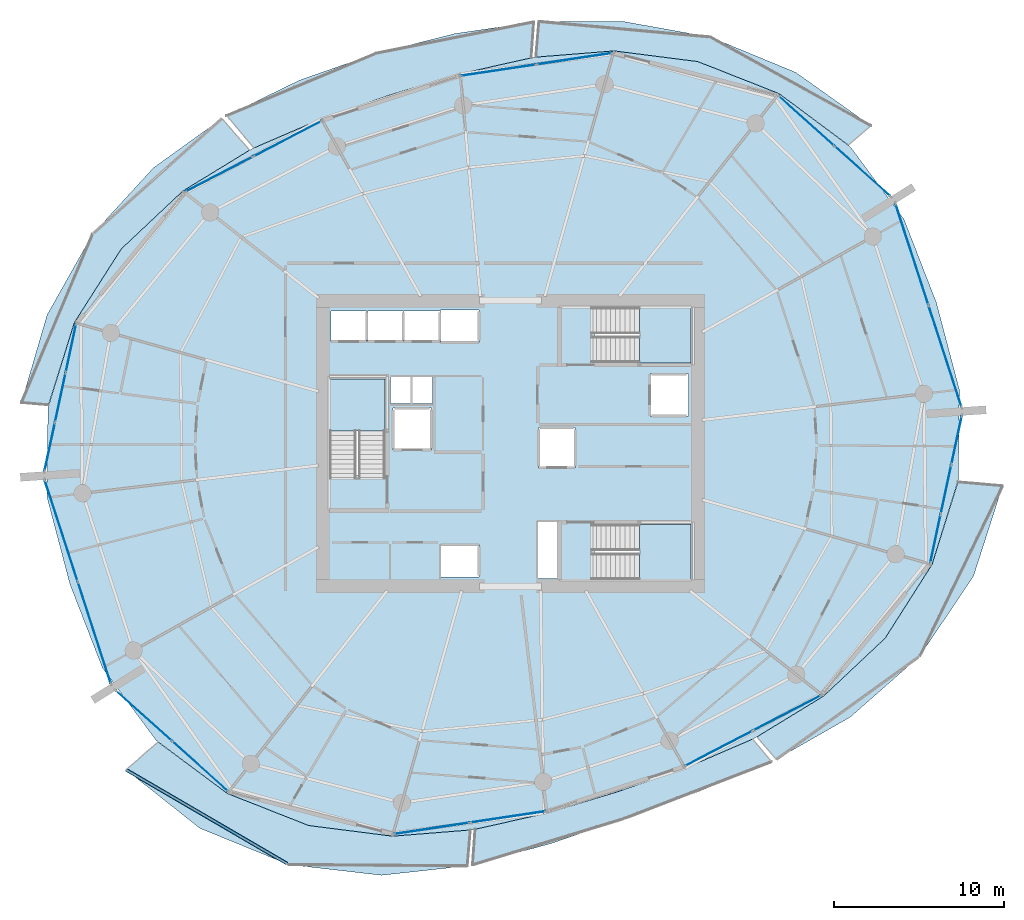
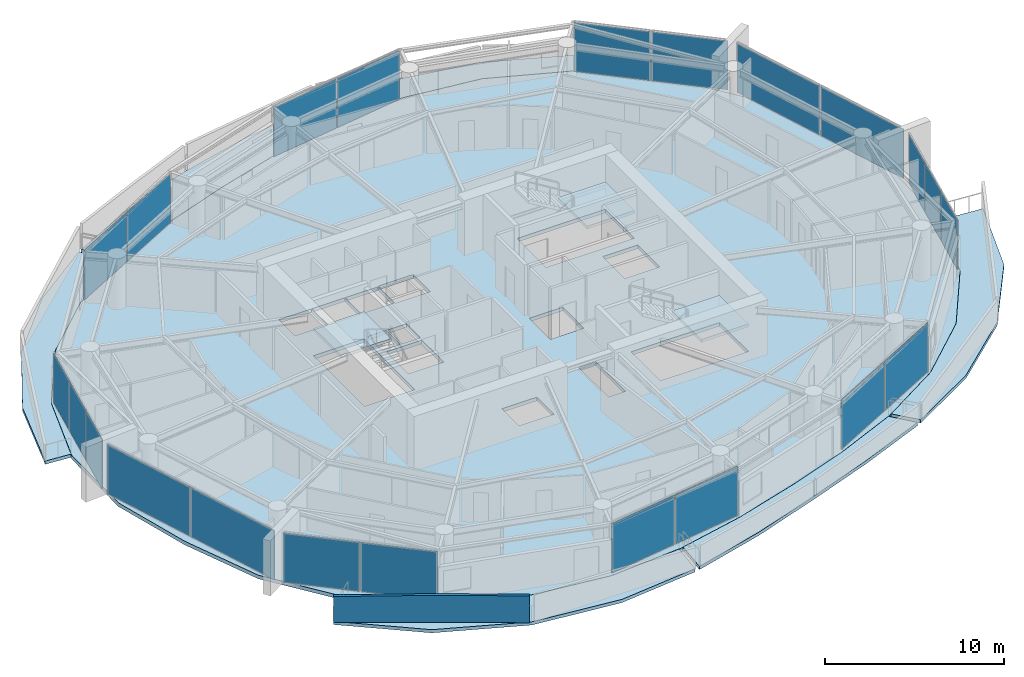
# One storey, part 10 of 20: 22 plates, 10 slabs, 1 wall, 13 elements without a shape of their own.
"""IFC4 building model written with IfcOpenShell, lengths in metres."""

from ifc_helpers import new_model, si_unit, direction, frame, origin, origin_2d, place, context, subcontext, project, spatial, polyline, rectangle, outline, extrude, material, layer, layer_set, type_object, element, aggregate, save


model = new_model("IFC4")

# Units and contexts
model_context = context("Model", 3, precision=1e-05, world=origin(), true_north=direction((0.0, 1.0)))
body_context = subcontext(model_context, "Body", "Model", "MODEL_VIEW")
ifc_project = project(units=[si_unit("LENGTHUNIT", "METRE"), si_unit("AREAUNIT", "SQUARE_METRE"), si_unit("VOLUMEUNIT", "CUBIC_METRE"), si_unit("PLANEANGLEUNIT", "RADIAN"), si_unit("MASSUNIT", "GRAM", prefix="KILO")], contexts=[model_context])

# Site, building, storey
site_placement = place(None, origin())
site = spatial("IfcSite", under=ifc_project, at=site_placement, CompositionType="ELEMENT")
building_placement = place(site_placement, origin())
building = spatial("IfcBuilding", under=site, at=building_placement, Name="Kazma Halo Residences", CompositionType="ELEMENT")
storey_placement = place(building_placement, frame((0.0, 0.0, 150.300048828125)))
storey = spatial("IfcBuildingStorey", under=building, at=storey_placement, Name="L37", CompositionType="ELEMENT", Elevation=150.300048828125)

# Curtain wall, plates
ifc_material_1 = material(Name="Aluminium AW-6063 T6 and Triple-Silver Low-E Glass", Category="aluminium")
ifc_layer_1 = layer(ifc_material_1, 0.219970703125)
ifc_layer_set_1 = layer_set([ifc_layer_1], Name="Aluminium AW-6063 T6 and Triple-Silver Low-E Glass")
curtain_wall_type = type_object("IfcCurtainWallType", Name="CW-SYS-4", PredefinedType="NOTDEFINED", material=ifc_layer_set_1)
curtain_wall_1_placement = place(storey_placement, origin())
curtain_wall_1 = element("IfcCurtainWall", 1, at=curtain_wall_1_placement, inside=storey, type_object=curtain_wall_type, Name="L37 unitised curtain wall B01", PredefinedType="NOTDEFINED")
ifc_material_2 = material(Name="Clear Triple-Silver Low-E Glass IGU", Category="glass")
ifc_layer_2 = layer(ifc_material_2, 0.033935546875)
ifc_layer_set_2 = layer_set([ifc_layer_2], Name="Clear Triple-Silver Low-E Glass IGU")
plate_type = type_object("IfcPlateType", Name="CW-SYS-4-PNL", PredefinedType="CURTAIN_PANEL", material=ifc_layer_set_2)
plate_1_placement = place(storey_placement, frame((69.126708984375, 58.008056640625, 0.074951171875), z_axis=(0.0, 0.0, 1.0), x_axis=(-0.744367582957, 0.667770096247, 0.0)))
plate_1 = element("IfcPlate", 2, at=plate_1_placement, type_object=plate_type, Name="CWS-4 panel 1.1", PredefinedType="CURTAIN_PANEL", context=body_context, shape_type="SweptSolid", body=[
    extrude(rectangle(XDim=4.36279296875, YDim=0.033935546875, at=origin_2d()), origin(), (0.0, 0.0, 1.0), 3.35009765625),
])
plate_2_placement = place(storey_placement, frame((65.823486328125, 60.971435546875, 0.074951171875), z_axis=(0.0, 0.0, 1.0), x_axis=(-0.744367582957, 0.667770096247, 0.0)))
plate_2 = element("IfcPlate", 3, at=plate_2_placement, type_object=plate_type, Name="CWS-4 panel 2.1", PredefinedType="CURTAIN_PANEL", context=body_context, shape_type="SweptSolid", body=[
    extrude(rectangle(XDim=4.36279296875, YDim=0.033935546875, at=origin_2d()), origin(), (0.0, 0.0, 1.0), 3.35009765625),
])
aggregate(curtain_wall_1, [plate_1, plate_2])

curtain_wall_2_placement = place(storey_placement, origin())
curtain_wall_2 = element("IfcCurtainWall", 4, at=curtain_wall_2_placement, inside=storey, type_object=curtain_wall_type, Name="L37 unitised curtain wall B03", PredefinedType="NOTDEFINED")
plate_3_placement = place(storey_placement, frame((52.200439453125, 64.625732421875, 0.074951171875), z_axis=(0.0, 0.0, 1.0), x_axis=(-0.988864148004, -0.148821022686, 0.0)))
plate_3 = element("IfcPlate", 5, at=plate_3_placement, type_object=plate_type, Name="CWS-4 panel 1.1", PredefinedType="CURTAIN_PANEL", context=body_context, shape_type="SweptSolid", body=[
    extrude(rectangle(XDim=4.4560546875, YDim=0.033935546875, at=origin_2d()), origin(), (0.0, 0.0, 1.0), 3.35009765625),
])
plate_4_placement = place(storey_placement, frame((47.7197265625, 63.951416015625, 0.074951171875), z_axis=(0.0, 0.0, 1.0), x_axis=(-0.988864148004, -0.148821022686, 0.0)))
plate_4 = element("IfcPlate", 6, at=plate_4_placement, type_object=plate_type, Name="CWS-4 panel 2.1", PredefinedType="CURTAIN_PANEL", context=body_context, shape_type="SweptSolid", body=[
    extrude(rectangle(XDim=4.4560546875, YDim=0.033935546875, at=origin_2d()), origin(), (0.0, 0.0, 1.0), 3.35009765625),
])
aggregate(curtain_wall_2, [plate_3, plate_4])

curtain_wall_3_placement = place(storey_placement, origin())
curtain_wall_3 = element("IfcCurtainWall", 7, at=curtain_wall_3_placement, inside=storey, type_object=curtain_wall_type, Name="L37 unitised curtain wall B05", PredefinedType="NOTDEFINED")
plate_5_placement = place(storey_placement, frame((35.323974609375, 59.923828125, 0.074951171875), z_axis=(0.0, 0.0, 1.0), x_axis=(-0.887484542306, -0.460837484552, 0.0)))
plate_5 = element("IfcPlate", 8, at=plate_5_placement, type_object=plate_type, Name="CWS-4 panel 1.1", PredefinedType="CURTAIN_PANEL", context=body_context, shape_type="SweptSolid", body=[
    extrude(rectangle(XDim=4.4560546875, YDim=0.033935546875, at=origin_2d()), origin(), (0.0, 0.0, 1.0), 3.35009765625),
])
plate_6_placement = place(storey_placement, frame((31.302734375, 57.835693359375, 0.074951171875), z_axis=(0.0, 0.0, 1.0), x_axis=(-0.887484542306, -0.460837484552, 0.0)))
plate_6 = element("IfcPlate", 9, at=plate_6_placement, type_object=plate_type, Name="CWS-4 panel 2.1", PredefinedType="CURTAIN_PANEL", context=body_context, shape_type="SweptSolid", body=[
    extrude(rectangle(XDim=4.4560546875, YDim=0.033935546875, at=origin_2d()), origin(), (0.0, 0.0, 1.0), 3.35009765625),
])
aggregate(curtain_wall_3, [plate_5, plate_6])

curtain_wall_4_placement = place(storey_placement, origin())
curtain_wall_4 = element("IfcCurtainWall", 10, at=curtain_wall_4_placement, inside=storey, type_object=curtain_wall_type, Name="L37 unitised curtain wall B07", PredefinedType="NOTDEFINED")
plate_7_placement = place(storey_placement, frame((22.5859375, 47.601318359375, 0.074951171875), z_axis=(0.0, 0.0, 1.0), x_axis=(-0.209703809037, -0.977764957684, 0.0)))
plate_7 = element("IfcPlate", 11, at=plate_7_placement, type_object=plate_type, Name="CWS-4 panel 1.1", PredefinedType="CURTAIN_PANEL", context=body_context, shape_type="SweptSolid", body=[
    extrude(rectangle(XDim=2.87109375, YDim=0.033935546875, at=origin_2d()), origin(), (0.0, 0.0, 1.0), 3.35009765625),
])
plate_8_placement = place(storey_placement, frame((21.964111328125, 44.702392578125, 0.074951171875), z_axis=(0.0, 0.0, 1.0), x_axis=(-0.209703809037, -0.977764957684, 0.0)))
plate_8 = element("IfcPlate", 12, at=plate_8_placement, type_object=plate_type, Name="CWS-4 panel 2.1", PredefinedType="CURTAIN_PANEL", context=body_context, shape_type="SweptSolid", body=[
    extrude(rectangle(XDim=2.90869140625, YDim=0.033935546875, at=origin_2d()), origin(), (0.0, 0.0, 1.0), 3.35009765625),
])
plate_9_placement = place(storey_placement, frame((21.34228515625, 41.803466796875, 0.074951171875), z_axis=(0.0, 0.0, 1.0), x_axis=(-0.209703809037, -0.977764957684, 0.0)))
plate_9 = element("IfcPlate", 13, at=plate_9_placement, type_object=plate_type, Name="CWS-4 panel 3.1", PredefinedType="CURTAIN_PANEL", context=body_context, shape_type="SweptSolid", body=[
    extrude(rectangle(XDim=2.87109375, YDim=0.033935546875, at=origin_2d()), origin(), (0.0, 0.0, 1.0), 3.35009765625),
])
aggregate(curtain_wall_4, [plate_7, plate_8, plate_9])

curtain_wall_5_placement = place(storey_placement, origin())
curtain_wall_5 = element("IfcCurtainWall", 14, at=curtain_wall_5_placement, inside=storey, type_object=curtain_wall_type, Name="L37 unitised curtain wall B08", PredefinedType="NOTDEFINED")
plate_10_placement = place(storey_placement, frame((22.017578125, 36.869873046875, 0.074951171875), z_axis=(0.0, 0.0, 1.0), x_axis=(0.3090138203, -0.951057547609, 0.0)))
plate_10 = element("IfcPlate", 15, at=plate_10_placement, type_object=plate_type, Name="CWS-4 panel 1.1", PredefinedType="CURTAIN_PANEL", context=body_context, shape_type="SweptSolid", body=[
    extrude(rectangle(XDim=6.224853515625, YDim=0.033935546875, at=origin_2d()), origin(), (0.0, 0.0, 1.0), 3.35009765625),
])
plate_11_placement = place(storey_placement, frame((23.96435546875, 30.878173828125, 0.074951171875), z_axis=(0.0, 0.0, 1.0), x_axis=(0.3090138203, -0.951057547609, 0.0)))
plate_11 = element("IfcPlate", 16, at=plate_11_placement, type_object=plate_type, Name="CWS-4 panel 2.1", PredefinedType="CURTAIN_PANEL", context=body_context, shape_type="SweptSolid", body=[
    extrude(rectangle(XDim=6.224853515625, YDim=0.033935546875, at=origin_2d()), origin(), (0.0, 0.0, 1.0), 3.35009765625),
])
aggregate(curtain_wall_5, [plate_10, plate_11])

curtain_wall_6_placement = place(storey_placement, origin())
curtain_wall_6 = element("IfcCurtainWall", 17, at=curtain_wall_6_placement, inside=storey, type_object=curtain_wall_type, Name="L37 unitised curtain wall B09", PredefinedType="NOTDEFINED")
plate_12_placement = place(storey_placement, frame((26.873291015625, 25.991943359375, 0.074951171875), z_axis=(0.0, 0.0, 1.0), x_axis=(0.744367582957, -0.667770096247, 0.0)))
plate_12 = element("IfcPlate", 18, at=plate_12_placement, type_object=plate_type, Name="CWS-4 panel 1.1", PredefinedType="CURTAIN_PANEL", context=body_context, shape_type="SweptSolid", body=[
    extrude(rectangle(XDim=4.36279296875, YDim=0.033935546875, at=origin_2d()), origin(), (0.0, 0.0, 1.0), 3.35009765625),
])
plate_13_placement = place(storey_placement, frame((30.176513671875, 23.028564453125, 0.074951171875), z_axis=(0.0, 0.0, 1.0), x_axis=(0.744367582957, -0.667770096247, 0.0)))
plate_13 = element("IfcPlate", 19, at=plate_13_placement, type_object=plate_type, Name="CWS-4 panel 2.1", PredefinedType="CURTAIN_PANEL", context=body_context, shape_type="SweptSolid", body=[
    extrude(rectangle(XDim=4.36279296875, YDim=0.033935546875, at=origin_2d()), origin(), (0.0, 0.0, 1.0), 3.35009765625),
])
aggregate(curtain_wall_6, [plate_12, plate_13])

curtain_wall_7_placement = place(storey_placement, origin())
curtain_wall_7 = element("IfcCurtainWall", 20, at=curtain_wall_7_placement, inside=storey, type_object=curtain_wall_type, Name="L37 unitised curtain wall B11", PredefinedType="NOTDEFINED")
plate_14_placement = place(storey_placement, frame((43.799560546875, 19.374267578125, 0.074951171875), z_axis=(0.0, 0.0, 1.0), x_axis=(0.988864148004, 0.148821022686, 0.0)))
plate_14 = element("IfcPlate", 21, at=plate_14_placement, type_object=plate_type, Name="CWS-4 panel 1.1", PredefinedType="CURTAIN_PANEL", context=body_context, shape_type="SweptSolid", body=[
    extrude(rectangle(XDim=4.4560546875, YDim=0.033935546875, at=origin_2d()), origin(), (0.0, 0.0, 1.0), 3.35009765625),
])
plate_15_placement = place(storey_placement, frame((48.2802734375, 20.048583984375, 0.074951171875), z_axis=(0.0, 0.0, 1.0), x_axis=(0.988864148004, 0.148821022686, 0.0)))
plate_15 = element("IfcPlate", 22, at=plate_15_placement, type_object=plate_type, Name="CWS-4 panel 2.1", PredefinedType="CURTAIN_PANEL", context=body_context, shape_type="SweptSolid", body=[
    extrude(rectangle(XDim=4.4560546875, YDim=0.033935546875, at=origin_2d()), origin(), (0.0, 0.0, 1.0), 3.35009765625),
])
aggregate(curtain_wall_7, [plate_14, plate_15])

curtain_wall_8_placement = place(storey_placement, origin())
curtain_wall_8 = element("IfcCurtainWall", 23, at=curtain_wall_8_placement, inside=storey, type_object=curtain_wall_type, Name="L37 unitised curtain wall B13", PredefinedType="NOTDEFINED")
plate_16_placement = place(storey_placement, frame((60.676025390625, 24.076171875, 0.074951171875), z_axis=(0.0, 0.0, 1.0), x_axis=(0.887484542306, 0.460837484552, 0.0)))
plate_16 = element("IfcPlate", 24, at=plate_16_placement, type_object=plate_type, Name="CWS-4 panel 1.1", PredefinedType="CURTAIN_PANEL", context=body_context, shape_type="SweptSolid", body=[
    extrude(rectangle(XDim=4.4560546875, YDim=0.033935546875, at=origin_2d()), origin(), (0.0, 0.0, 1.0), 3.35009765625),
])
plate_17_placement = place(storey_placement, frame((64.697265625, 26.164306640625, 0.074951171875), z_axis=(0.0, 0.0, 1.0), x_axis=(0.887484542306, 0.460837484552, 0.0)))
plate_17 = element("IfcPlate", 25, at=plate_17_placement, type_object=plate_type, Name="CWS-4 panel 2.1", PredefinedType="CURTAIN_PANEL", context=body_context, shape_type="SweptSolid", body=[
    extrude(rectangle(XDim=4.4560546875, YDim=0.033935546875, at=origin_2d()), origin(), (0.0, 0.0, 1.0), 3.35009765625),
])
aggregate(curtain_wall_8, [plate_16, plate_17])

curtain_wall_9_placement = place(storey_placement, origin())
curtain_wall_9 = element("IfcCurtainWall", 26, at=curtain_wall_9_placement, inside=storey, type_object=curtain_wall_type, Name="L37 unitised curtain wall B15", PredefinedType="NOTDEFINED")
plate_18_placement = place(storey_placement, frame((73.4140625, 36.398681640625, 0.074951171875), z_axis=(0.0, 0.0, 1.0), x_axis=(0.209703809037, 0.977764957684, 0.0)))
plate_18 = element("IfcPlate", 27, at=plate_18_placement, type_object=plate_type, Name="CWS-4 panel 1.1", PredefinedType="CURTAIN_PANEL", context=body_context, shape_type="SweptSolid", body=[
    extrude(rectangle(XDim=2.87109375, YDim=0.033935546875, at=origin_2d()), origin(), (0.0, 0.0, 1.0), 3.35009765625),
])
plate_19_placement = place(storey_placement, frame((74.035888671875, 39.297607421875, 0.074951171875), z_axis=(0.0, 0.0, 1.0), x_axis=(0.209703809037, 0.977764957684, 0.0)))
plate_19 = element("IfcPlate", 28, at=plate_19_placement, type_object=plate_type, Name="CWS-4 panel 2.1", PredefinedType="CURTAIN_PANEL", context=body_context, shape_type="SweptSolid", body=[
    extrude(rectangle(XDim=2.90869140625, YDim=0.033935546875, at=origin_2d()), origin(), (0.0, 0.0, 1.0), 3.35009765625),
])
plate_20_placement = place(storey_placement, frame((74.65771484375, 42.196533203125, 0.074951171875), z_axis=(0.0, 0.0, 1.0), x_axis=(0.209703809037, 0.977764957684, 0.0)))
plate_20 = element("IfcPlate", 29, at=plate_20_placement, type_object=plate_type, Name="CWS-4 panel 3.1", PredefinedType="CURTAIN_PANEL", context=body_context, shape_type="SweptSolid", body=[
    extrude(rectangle(XDim=2.87109375, YDim=0.033935546875, at=origin_2d()), origin(), (0.0, 0.0, 1.0), 3.35009765625),
])
aggregate(curtain_wall_9, [plate_18, plate_19, plate_20])

curtain_wall_10_placement = place(storey_placement, origin())
curtain_wall_10 = element("IfcCurtainWall", 30, at=curtain_wall_10_placement, inside=storey, type_object=curtain_wall_type, Name="L37 unitised curtain wall B16", PredefinedType="NOTDEFINED")
plate_21_placement = place(storey_placement, frame((73.982421875, 47.130126953125, 0.074951171875), z_axis=(0.0, 0.0, 1.0), x_axis=(-0.3090138203, 0.951057547609, 0.0)))
plate_21 = element("IfcPlate", 31, at=plate_21_placement, type_object=plate_type, Name="CWS-4 panel 1.1", PredefinedType="CURTAIN_PANEL", context=body_context, shape_type="SweptSolid", body=[
    extrude(rectangle(XDim=6.224853515625, YDim=0.033935546875, at=origin_2d()), origin(), (0.0, 0.0, 1.0), 3.35009765625),
])
plate_22_placement = place(storey_placement, frame((72.03564453125, 53.121826171875, 0.074951171875), z_axis=(0.0, 0.0, 1.0), x_axis=(-0.3090138203, 0.951057547609, 0.0)))
plate_22 = element("IfcPlate", 32, at=plate_22_placement, type_object=plate_type, Name="CWS-4 panel 2.1", PredefinedType="CURTAIN_PANEL", context=body_context, shape_type="SweptSolid", body=[
    extrude(rectangle(XDim=6.224853515625, YDim=0.033935546875, at=origin_2d()), origin(), (0.0, 0.0, 1.0), 3.35009765625),
])
aggregate(curtain_wall_10, [plate_21, plate_22])

# Slabs
ifc_material_3 = material(Name="White Concrete C50/60", Category="concrete")
ifc_layer_3 = layer(ifc_material_3, 0.219970703125)
ifc_layer_set_3 = layer_set([ifc_layer_3], Name="White Concrete C50/60")
slab_type_1 = type_object("IfcSlabType", Name="SLB-BAL-WAVE-210", PredefinedType="FLOOR", material=ifc_layer_set_3)
slab_1_placement = place(storey_placement, frame((0.0, 0.0, -0.219970703125)))
element("IfcSlab", 33, at=slab_1_placement, inside=storey, type_object=slab_type_1, Name="L37 NE cantilevered wave balcony slab", PredefinedType="FLOOR", context=body_context, shape_type="SweptSolid", body=[
    extrude(outline(polyline([(68.294677734375, 59.548583984375), (64.21923828125, 62.573974609375), (59.442626953125, 64.45751953125), (54.510986328125, 65.0859375), (49.927978515625, 64.720458984375), (50.105224609375, 66.812255859375), (55.001953125, 66.8271484375), (60.177001953125, 65.898681640625), (65.202392578125, 63.821044921875), (69.613525390625, 60.689208984375), (68.294677734375, 59.548583984375)])), origin(), (0.0, 0.0, 1.0), 0.219970703125),
])
slab_2_placement = place(storey_placement, frame((0.0, 0.0, -0.219970703125)))
element("IfcSlab", 34, at=slab_2_placement, inside=storey, type_object=slab_type_1, Name="L37 NNW cantilevered wave balcony slab", PredefinedType="FLOOR", context=body_context, shape_type="SweptSolid", body=[
    extrude(outline(polyline([(49.6455078125, 64.67822265625), (45.427978515625, 63.72998046875), (41.3408203125, 62.494873046875), (37.30810546875, 61.091552734375), (33.3388671875, 59.3798828125), (31.740478515625, 61.274658203125), (36.033935546875, 63.366943359375), (40.544189453125, 64.947021484375), (45.147705078125, 66.10009765625), (49.798583984375, 66.78662109375), (49.6455078125, 64.67822265625)])), origin(), (0.0, 0.0, 1.0), 0.219970703125),
])
slab_3_placement = place(storey_placement, frame((0.0, 0.0, -0.219970703125)))
element("IfcSlab", 35, at=slab_3_placement, inside=storey, type_object=slab_type_1, Name="L37 NW cantilevered wave balcony slab", PredefinedType="FLOOR", context=body_context, shape_type="SweptSolid", body=[
    extrude(outline(polyline([(33.08544921875, 59.248046875), (29.1630859375, 56.849853515625), (25.54248046875, 53.442626953125), (22.78515625, 49.111328125), (21.2666015625, 44.268310546875), (19.673828125, 44.403564453125), (21.18212890625, 49.5634765625), (23.8505859375, 54.3046875), (27.435791015625, 58.211669921875), (31.47021484375, 61.1162109375), (33.08544921875, 59.248046875)])), origin(), (0.0, 0.0, 1.0), 0.219970703125),
])
slab_4_placement = place(storey_placement, frame((0.0, 0.0, -0.219970703125)))
element("IfcSlab", 36, at=slab_4_placement, inside=storey, type_object=slab_type_1, Name="L37 SW cantilevered wave balcony slab", PredefinedType="FLOOR", context=body_context, shape_type="SweptSolid", body=[
    extrude(outline(polyline([(27.705322265625, 24.451416015625), (31.78076171875, 21.426025390625), (36.557373046875, 19.54248046875), (41.489013671875, 18.9140625), (46.072021484375, 19.279541015625), (45.89306640625, 17.168701171875), (40.84130859375, 16.61669921875), (35.38671875, 17.2451171875), (30.166015625, 19.377685546875), (25.820068359375, 22.82080078125), (27.705322265625, 24.451416015625)])), origin(), (0.0, 0.0, 1.0), 0.219970703125),
])
slab_5_placement = place(storey_placement, frame((0.0, 0.0, -0.219970703125)))
element("IfcSlab", 37, at=slab_5_placement, inside=storey, type_object=slab_type_1, Name="L37 SSE cantilevered wave balcony slab", PredefinedType="FLOOR", context=body_context, shape_type="SweptSolid", body=[
    extrude(outline(polyline([(46.3544921875, 19.32177734375), (50.572021484375, 20.27001953125), (54.6591796875, 21.505126953125), (58.69189453125, 22.908447265625), (62.6611328125, 24.6201171875), (63.776611328125, 23.297607421875), (59.4677734375, 21.52294921875), (55.158935546875, 19.966796875), (50.784423828125, 18.4736328125), (46.202880859375, 17.232421875), (46.3544921875, 19.32177734375)])), origin(), (0.0, 0.0, 1.0), 0.219970703125),
])
slab_6_placement = place(storey_placement, frame((0.0, 0.0, -0.219970703125)))
element("IfcSlab", 38, at=slab_6_placement, inside=storey, type_object=slab_type_1, Name="L37 SE cantilevered wave balcony slab", PredefinedType="FLOOR", context=body_context, shape_type="SweptSolid", body=[
    extrude(outline(polyline([(62.91455078125, 24.751953125), (66.8369140625, 27.150146484375), (70.45751953125, 30.557373046875), (73.21484375, 34.888671875), (74.7333984375, 39.731689453125), (77.3623046875, 39.508544921875), (75.650146484375, 34.201904296875), (72.50390625, 29.5146484375), (68.40478515625, 25.9140625), (64.0576171875, 23.4296875), (62.91455078125, 24.751953125)])), origin(), (0.0, 0.0, 1.0), 0.219970703125),
])
ifc_material_4 = material(Name="Concrete C50/60", Category="concrete")
ifc_layer_4 = layer(ifc_material_4, 0.25)
ifc_layer_set_4 = layer_set([ifc_layer_4], Name="Concrete C50/60")
slab_type_2 = type_object("IfcSlabType", Name="SLB-RES-250", PredefinedType="FLOOR", material=ifc_layer_set_4)
slab_7_placement = place(storey_placement, frame((0.0, 0.0, -0.25)))
element("IfcSlab", 39, at=slab_7_placement, inside=storey, type_object=slab_type_2, Name="L37 structural floor slab", PredefinedType="FLOOR", context=body_context, shape_type="SweptSolid", body=[
    extrude(outline(polyline([(73.47265625, 50.276611328125), (71.56201171875, 55.1953125), (68.41796875, 59.438720703125), (64.218017578125, 62.572509765625), (59.441650390625, 64.45556640625), (54.510498046875, 65.083984375), (49.787109375, 64.706298828125), (45.42822265625, 63.727783203125), (41.341552734375, 62.492919921875), (37.30908203125, 61.08984375), (33.2080078125, 59.3193359375), (29.16455078125, 56.8486328125), (25.54443359375, 53.441650390625), (22.787109375, 49.110595703125), (21.2314453125, 44.106689453125), (21.181884765625, 38.825927734375), (22.52734375, 33.723388671875), (24.43798828125, 28.8046875), (27.58203125, 24.561279296875), (31.781982421875, 21.427490234375), (36.558349609375, 19.54443359375), (41.489501953125, 18.916015625), (46.212890625, 19.293701171875), (50.57177734375, 20.272216796875), (54.658447265625, 21.507080078125), (58.69091796875, 22.91015625), (62.7919921875, 24.6806640625), (66.83544921875, 27.1513671875), (70.45556640625, 30.558349609375), (73.212890625, 34.889404296875), (74.7685546875, 39.893310546875), (74.818115234375, 45.174072265625), (73.47265625, 50.276611328125)]), holes=[polyline([(37.800048828125, 40.110107421875), (41.050048828125, 40.110107421875), (41.050048828125, 45.800048828125), (37.800048828125, 45.800048828125), (37.800048828125, 40.110107421875)]), polyline([(53.360107421875, 46.75), (59.050048828125, 46.75), (59.050048828125, 50.0), (53.360107421875, 50.0), (53.360107421875, 46.75)]), polyline([(53.360107421875, 34.0), (59.050048828125, 34.0), (59.050048828125, 37.25), (53.360107421875, 37.25), (53.360107421875, 34.0)]), polyline([(41.52001953125, 41.6201171875), (43.780029296875, 41.6201171875), (43.780029296875, 44.080078125), (41.52001953125, 44.080078125), (41.52001953125, 41.6201171875)]), polyline([(56.6201171875, 43.6201171875), (58.8798828125, 43.6201171875), (58.8798828125, 46.080078125), (56.6201171875, 46.080078125), (56.6201171875, 43.6201171875)]), polyline([(37.864990234375, 47.9951171875), (39.97509765625, 47.9951171875), (39.97509765625, 49.804931640625), (37.864990234375, 49.804931640625), (37.864990234375, 47.9951171875)]), polyline([(40.014892578125, 47.9951171875), (42.125, 47.9951171875), (42.125, 49.804931640625), (40.014892578125, 49.804931640625), (40.014892578125, 47.9951171875)]), polyline([(42.1650390625, 47.9951171875), (44.27490234375, 47.9951171875), (44.27490234375, 49.804931640625), (42.1650390625, 49.804931640625), (42.1650390625, 47.9951171875)]), polyline([(44.320068359375, 47.945068359375), (46.580078125, 47.945068359375), (46.580078125, 49.85498046875), (44.320068359375, 49.85498046875), (44.320068359375, 47.945068359375)]), polyline([(44.320068359375, 34.14501953125), (46.580078125, 34.14501953125), (46.580078125, 36.054931640625), (44.320068359375, 36.054931640625), (44.320068359375, 34.14501953125)]), polyline([(50.070068359375, 40.570068359375), (52.22998046875, 40.570068359375), (52.22998046875, 42.929931640625), (50.070068359375, 42.929931640625), (50.070068359375, 40.570068359375)]), polyline([(41.360107421875, 44.340087890625), (42.5400390625, 44.340087890625), (42.5400390625, 45.89990234375), (41.360107421875, 45.89990234375), (41.360107421875, 44.340087890625)]), polyline([(42.659912109375, 44.340087890625), (43.840087890625, 44.340087890625), (43.840087890625, 45.89990234375), (42.659912109375, 45.89990234375), (42.659912109375, 44.340087890625)]), polyline([(50.06005859375, 34.080078125), (51.159912109375, 34.080078125), (51.159912109375, 37.3798828125), (50.06005859375, 37.3798828125), (50.06005859375, 34.080078125)])]), origin(), (0.0, 0.0, 1.0), 0.25),
])

# Stair, slab
stair_type = type_object("IfcStairType", Name="STR-RES1", PredefinedType="HALF_TURN_STAIR", material=ifc_material_4)
stair_1_placement = place(storey_placement, origin())
stair_1 = element("IfcStair", 40, at=stair_1_placement, inside=storey, type_object=stair_type, Name="L37 Core exit stair ST-01", PredefinedType="HALF_TURN_STAIR")
ifc_layer_5 = layer(ifc_material_4, 0.199951171875)
ifc_layer_set_5 = layer_set([ifc_layer_5], Name="Concrete C50/60")
slab_type_3 = type_object("IfcSlabType", Name="SLB-STAIR-LND-200", PredefinedType="LANDING", material=ifc_layer_set_5)
slab_8_placement = place(storey_placement, frame((0.0, 0.0, 1.675048828125)))
slab_8 = element("IfcSlab", 41, at=slab_8_placement, type_object=slab_type_3, Name="ST-01 landing 1", PredefinedType="LANDING", context=body_context, shape_type="SweptSolid", body=[
    extrude(outline(polyline([(41.050048828125, 42.75), (41.050048828125, 45.800048828125), (37.800048828125, 45.800048828125), (37.800048828125, 42.75), (41.050048828125, 42.75)])), origin(), (0.0, 0.0, 1.0), 0.199951171875),
])
aggregate(stair_1, [slab_8])

stair_2_placement = place(storey_placement, origin())
stair_2 = element("IfcStair", 42, at=stair_2_placement, inside=storey, type_object=stair_type, Name="L37 Core exit stair ST-02", PredefinedType="HALF_TURN_STAIR")
slab_9_placement = place(storey_placement, frame((0.0, 0.0, 1.675048828125)))
slab_9 = element("IfcSlab", 43, at=slab_9_placement, type_object=slab_type_3, Name="ST-02 landing 1", PredefinedType="LANDING", context=body_context, shape_type="SweptSolid", body=[
    extrude(outline(polyline([(56.0, 46.75), (59.050048828125, 46.75), (59.050048828125, 50.0), (56.0, 50.0), (56.0, 46.75)])), origin(), (0.0, 0.0, 1.0), 0.199951171875),
])
aggregate(stair_2, [slab_9])

stair_3_placement = place(storey_placement, origin())
stair_3 = element("IfcStair", 44, at=stair_3_placement, inside=storey, type_object=stair_type, Name="L37 Core exit stair ST-03", PredefinedType="HALF_TURN_STAIR")
slab_10_placement = place(storey_placement, frame((0.0, 0.0, 1.675048828125)))
slab_10 = element("IfcSlab", 45, at=slab_10_placement, type_object=slab_type_3, Name="ST-03 landing 1", PredefinedType="LANDING", context=body_context, shape_type="SweptSolid", body=[
    extrude(outline(polyline([(56.0, 34.0), (59.050048828125, 34.0), (59.050048828125, 37.25), (56.0, 37.25), (56.0, 34.0)])), origin(), (0.0, 0.0, 1.0), 0.199951171875),
])
aggregate(stair_3, [slab_10])

# Wall
ifc_material_5 = material(Name="White Concrete C50/60 Balustrade", Category="concrete")
ifc_layer_6 = layer(ifc_material_5, 0.179931640625)
ifc_layer_set_6 = layer_set([ifc_layer_6], Name="White Concrete C50/60 Balustrade")
wall_type = type_object("IfcWallType", Name="WL-BAL-WAVE-180", PredefinedType="PARAPET", material=ifc_layer_set_6)
wall_placement = place(storey_placement, frame((25.820068359375, 22.82080078125, 0.0), z_axis=(0.0, 0.0, 1.0), x_axis=(0.863978518166, -0.503528668645, 0.0)))
element("IfcWall", 46, at=wall_placement, inside=storey, type_object=wall_type, Name="L37 white wave balustrade wall SW.1", PredefinedType="PARAPET", context=body_context, shape_type="SweptSolid", body=[
    extrude(outline(polyline([(0.0, 0.0), (10.952880859375, 0.0), (10.952880859375, 1.83203125), (5.4765625, 1.85302734375), (0.0, 1.755859375), (0.0, 0.0)])), frame((0.0, 0.08984375, 0.0), z_axis=(0.0, -1.0, 0.0), x_axis=(1.0, 0.0, 0.0)), (0.0, 0.0, 1.0), 0.179931640625),
])

save(model, "model.ifc")
